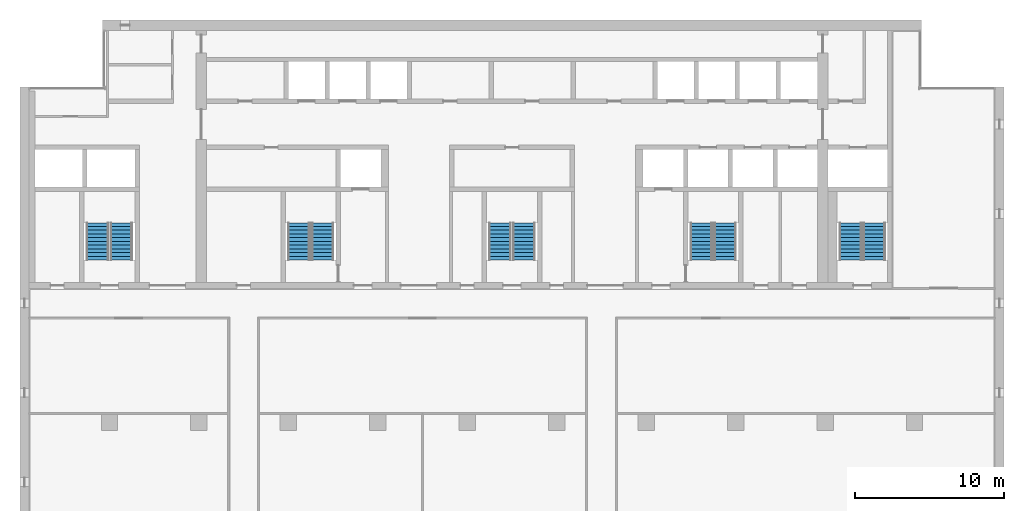
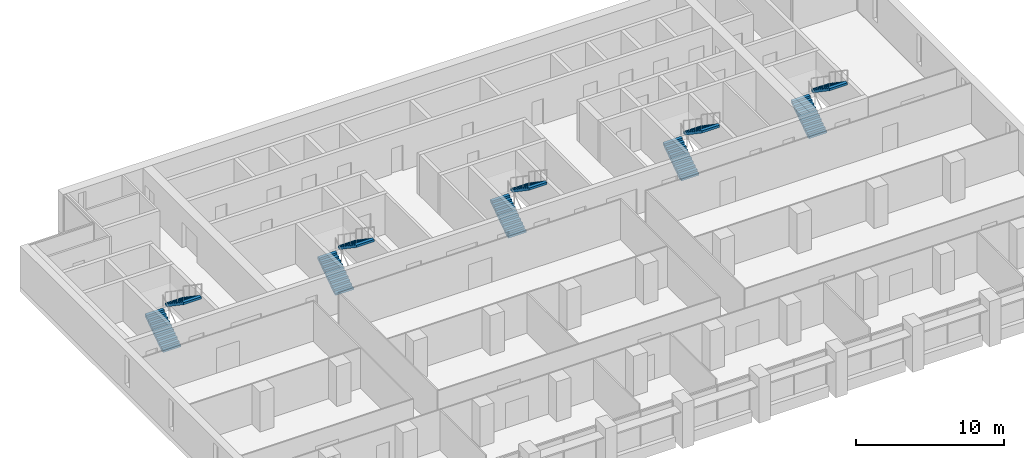
# One storey, part 13 of 17: 10 stair flights, 5 elements without a shape of their own.
"""IFC4 building model written with IfcOpenShell, lengths in metres."""

from ifc_helpers import new_model, si_unit, direction, frame, origin, place, context, subcontext, project, spatial, polyline, outline, extrude, material, type_object, element, aggregate, save


model = new_model("IFC4")

# Units and contexts
model_context = context("Model", 3, precision=1e-05, world=origin(), true_north=direction((0.0, 1.0)))
body_context = subcontext(model_context, "Body", "Model", "MODEL_VIEW")
ifc_project = project(units=[si_unit("LENGTHUNIT", "METRE"), si_unit("AREAUNIT", "SQUARE_METRE"), si_unit("VOLUMEUNIT", "CUBIC_METRE"), si_unit("PLANEANGLEUNIT", "RADIAN"), si_unit("MASSUNIT", "GRAM", prefix="KILO")], contexts=[model_context])

# Site, building, storey
site_placement = place(None, origin())
site = spatial("IfcSite", under=ifc_project, at=site_placement, CompositionType="ELEMENT")
building_placement = place(site_placement, origin())
building = spatial("IfcBuilding", under=site, at=building_placement, Name="Calvaro Tower", CompositionType="ELEMENT")
storey_placement = place(building_placement, frame((0.0, 0.0, 193.0)))
storey = spatial("IfcBuildingStorey", under=building, at=storey_placement, Name="L48", CompositionType="ELEMENT", Elevation=193.0)

# Stair, stair flights
ifc_material_1 = material(Name="Concrete C40/50", Category="concrete")
stair_type = type_object("IfcStairType", Name="Exit stair 1400 2 flights", PredefinedType="HALF_TURN_STAIR", material=ifc_material_1)
stair_1_placement = place(storey_placement, origin())
stair_1 = element("IfcStair", 1, at=stair_1_placement, inside=storey, type_object=stair_type, Name="Exit stair S1", PredefinedType="HALF_TURN_STAIR")
ifc_material_2 = material(Name="Concrete C40/50", Category="concrete")
stair_flight_type = type_object("IfcStairFlightType", Name="Stair flight", PredefinedType="STRAIGHT", material=ifc_material_2)
stair_flight_1_placement = place(storey_placement, frame((11.199951171875, 29.89990234375, 0.0), z_axis=(0.0, 0.0, 1.0), x_axis=(0.0, 1.0, 0.0)))
stair_flight_1 = element("IfcStairFlight", 2, at=stair_flight_1_placement, type_object=stair_flight_type, Name="Exit stair 1, flight 1", NumberOfRisers=11, NumberOfTreads=10, PredefinedType="STRAIGHT", RiserHeight=0.170454545, TreadLength=0.25, context=body_context, shape_type="SweptSolid", body=[
    extrude(outline(polyline([(0.0, 0.0), (0.0, 0.17041015625), (0.25, 0.17041015625), (0.25, 0.3408203125), (0.5, 0.3408203125), (0.5, 0.511474609375), (0.75, 0.511474609375), (0.75, 0.681884765625), (1.0, 0.681884765625), (1.0, 0.852294921875), (1.25, 0.852294921875), (1.25, 1.022705078125), (1.5, 1.022705078125), (1.5, 1.193115234375), (1.75, 1.193115234375), (1.75, 1.363525390625), (2.0, 1.363525390625), (2.0, 1.5341796875), (2.25, 1.5341796875), (2.25, 1.70458984375), (2.5, 1.70458984375), (2.5, 1.875), (2.5, 1.523193359375), (0.26611328125, 0.0), (0.0, 0.0)])), frame((0.0, 0.699951171875, 0.0), z_axis=(0.0, -1.0, 0.0), x_axis=(1.0, 0.0, 0.0)), (0.0, 0.0, 1.0), 1.39990234375),
])
stair_flight_2_placement = place(storey_placement, frame((12.800048828125, 32.39990234375, 1.875), z_axis=(0.0, 0.0, 1.0), x_axis=(0.0, -1.0, 0.0)))
stair_flight_2 = element("IfcStairFlight", 3, at=stair_flight_2_placement, type_object=stair_flight_type, Name="Exit stair 1, flight 2", NumberOfRisers=11, NumberOfTreads=10, PredefinedType="STRAIGHT", RiserHeight=0.170454545, TreadLength=0.25, context=body_context, shape_type="SweptSolid", body=[
    extrude(outline(polyline([(0.0, 0.0), (0.0, 0.17041015625), (0.25, 0.17041015625), (0.25, 0.3408203125), (0.5, 0.3408203125), (0.5, 0.511474609375), (0.75, 0.511474609375), (0.75, 0.681884765625), (1.0, 0.681884765625), (1.0, 0.852294921875), (1.25, 0.852294921875), (1.25, 1.022705078125), (1.5, 1.022705078125), (1.5, 1.193115234375), (1.75, 1.193115234375), (1.75, 1.363525390625), (2.0, 1.363525390625), (2.0, 1.5341796875), (2.25, 1.5341796875), (2.25, 1.70458984375), (2.5, 1.70458984375), (2.5, 1.875), (2.5, 1.523193359375), (0.26611328125, 0.0), (0.0, 0.0)])), frame((0.0, 0.699951171875, 0.0), z_axis=(0.0, -1.0, 0.0), x_axis=(1.0, 0.0, 0.0)), (0.0, 0.0, 1.0), 1.39990234375),
])
aggregate(stair_1, [stair_flight_1, stair_flight_2])

stair_2_placement = place(storey_placement, origin())
stair_2 = element("IfcStair", 4, at=stair_2_placement, inside=storey, type_object=stair_type, Name="Exit stair S2", PredefinedType="HALF_TURN_STAIR")
stair_flight_3_placement = place(storey_placement, frame((24.699951171875, 29.89990234375, 0.0), z_axis=(0.0, 0.0, 1.0), x_axis=(0.0, 1.0, 0.0)))
stair_flight_3 = element("IfcStairFlight", 5, at=stair_flight_3_placement, type_object=stair_flight_type, Name="Exit stair 2, flight 1", NumberOfRisers=11, NumberOfTreads=10, PredefinedType="STRAIGHT", RiserHeight=0.170454545, TreadLength=0.25, context=body_context, shape_type="SweptSolid", body=[
    extrude(outline(polyline([(0.0, 0.0), (0.0, 0.17041015625), (0.25, 0.17041015625), (0.25, 0.3408203125), (0.5, 0.3408203125), (0.5, 0.511474609375), (0.75, 0.511474609375), (0.75, 0.681884765625), (1.0, 0.681884765625), (1.0, 0.852294921875), (1.25, 0.852294921875), (1.25, 1.022705078125), (1.5, 1.022705078125), (1.5, 1.193115234375), (1.75, 1.193115234375), (1.75, 1.363525390625), (2.0, 1.363525390625), (2.0, 1.5341796875), (2.25, 1.5341796875), (2.25, 1.70458984375), (2.5, 1.70458984375), (2.5, 1.875), (2.5, 1.523193359375), (0.26611328125, 0.0), (0.0, 0.0)])), frame((0.0, 0.699951171875, 0.0), z_axis=(0.0, -1.0, 0.0), x_axis=(1.0, 0.0, 0.0)), (0.0, 0.0, 1.0), 1.39990234375),
])
stair_flight_4_placement = place(storey_placement, frame((26.300048828125, 32.39990234375, 1.875), z_axis=(0.0, 0.0, 1.0), x_axis=(0.0, -1.0, 0.0)))
stair_flight_4 = element("IfcStairFlight", 6, at=stair_flight_4_placement, type_object=stair_flight_type, Name="Exit stair 2, flight 2", NumberOfRisers=11, NumberOfTreads=10, PredefinedType="STRAIGHT", RiserHeight=0.170454545, TreadLength=0.25, context=body_context, shape_type="SweptSolid", body=[
    extrude(outline(polyline([(0.0, 0.0), (0.0, 0.17041015625), (0.25, 0.17041015625), (0.25, 0.3408203125), (0.5, 0.3408203125), (0.5, 0.511474609375), (0.75, 0.511474609375), (0.75, 0.681884765625), (1.0, 0.681884765625), (1.0, 0.852294921875), (1.25, 0.852294921875), (1.25, 1.022705078125), (1.5, 1.022705078125), (1.5, 1.193115234375), (1.75, 1.193115234375), (1.75, 1.363525390625), (2.0, 1.363525390625), (2.0, 1.5341796875), (2.25, 1.5341796875), (2.25, 1.70458984375), (2.5, 1.70458984375), (2.5, 1.875), (2.5, 1.523193359375), (0.26611328125, 0.0), (0.0, 0.0)])), frame((0.0, 0.699951171875, 0.0), z_axis=(0.0, -1.0, 0.0), x_axis=(1.0, 0.0, 0.0)), (0.0, 0.0, 1.0), 1.39990234375),
])
aggregate(stair_2, [stair_flight_3, stair_flight_4])

stair_3_placement = place(storey_placement, origin())
stair_3 = element("IfcStair", 7, at=stair_3_placement, inside=storey, type_object=stair_type, Name="Exit stair S3", PredefinedType="HALF_TURN_STAIR")
stair_flight_5_placement = place(storey_placement, frame((38.199951171875, 29.89990234375, 0.0), z_axis=(0.0, 0.0, 1.0), x_axis=(0.0, 1.0, 0.0)))
stair_flight_5 = element("IfcStairFlight", 8, at=stair_flight_5_placement, type_object=stair_flight_type, Name="Exit stair 3, flight 1", NumberOfRisers=11, NumberOfTreads=10, PredefinedType="STRAIGHT", RiserHeight=0.170454545, TreadLength=0.25, context=body_context, shape_type="SweptSolid", body=[
    extrude(outline(polyline([(0.0, 0.0), (0.0, 0.17041015625), (0.25, 0.17041015625), (0.25, 0.3408203125), (0.5, 0.3408203125), (0.5, 0.511474609375), (0.75, 0.511474609375), (0.75, 0.681884765625), (1.0, 0.681884765625), (1.0, 0.852294921875), (1.25, 0.852294921875), (1.25, 1.022705078125), (1.5, 1.022705078125), (1.5, 1.193115234375), (1.75, 1.193115234375), (1.75, 1.363525390625), (2.0, 1.363525390625), (2.0, 1.5341796875), (2.25, 1.5341796875), (2.25, 1.70458984375), (2.5, 1.70458984375), (2.5, 1.875), (2.5, 1.523193359375), (0.26611328125, 0.0), (0.0, 0.0)])), frame((0.0, 0.699951171875, 0.0), z_axis=(0.0, -1.0, 0.0), x_axis=(1.0, 0.0, 0.0)), (0.0, 0.0, 1.0), 1.39990234375),
])
stair_flight_6_placement = place(storey_placement, frame((39.800048828125, 32.39990234375, 1.875), z_axis=(0.0, 0.0, 1.0), x_axis=(0.0, -1.0, 0.0)))
stair_flight_6 = element("IfcStairFlight", 9, at=stair_flight_6_placement, type_object=stair_flight_type, Name="Exit stair 3, flight 2", NumberOfRisers=11, NumberOfTreads=10, PredefinedType="STRAIGHT", RiserHeight=0.170454545, TreadLength=0.25, context=body_context, shape_type="SweptSolid", body=[
    extrude(outline(polyline([(0.0, 0.0), (0.0, 0.17041015625), (0.25, 0.17041015625), (0.25, 0.3408203125), (0.5, 0.3408203125), (0.5, 0.511474609375), (0.75, 0.511474609375), (0.75, 0.681884765625), (1.0, 0.681884765625), (1.0, 0.852294921875), (1.25, 0.852294921875), (1.25, 1.022705078125), (1.5, 1.022705078125), (1.5, 1.193115234375), (1.75, 1.193115234375), (1.75, 1.363525390625), (2.0, 1.363525390625), (2.0, 1.5341796875), (2.25, 1.5341796875), (2.25, 1.70458984375), (2.5, 1.70458984375), (2.5, 1.875), (2.5, 1.523193359375), (0.26611328125, 0.0), (0.0, 0.0)])), frame((0.0, 0.699951171875, 0.0), z_axis=(0.0, -1.0, 0.0), x_axis=(1.0, 0.0, 0.0)), (0.0, 0.0, 1.0), 1.39990234375),
])
aggregate(stair_3, [stair_flight_5, stair_flight_6])

stair_4_placement = place(storey_placement, origin())
stair_4 = element("IfcStair", 10, at=stair_4_placement, inside=storey, type_object=stair_type, Name="Exit stair S4", PredefinedType="HALF_TURN_STAIR")
stair_flight_7_placement = place(storey_placement, frame((51.699951171875, 29.89990234375, 0.0), z_axis=(0.0, 0.0, 1.0), x_axis=(0.0, 1.0, 0.0)))
stair_flight_7 = element("IfcStairFlight", 11, at=stair_flight_7_placement, type_object=stair_flight_type, Name="Exit stair 4, flight 1", NumberOfRisers=11, NumberOfTreads=10, PredefinedType="STRAIGHT", RiserHeight=0.170454545, TreadLength=0.25, context=body_context, shape_type="SweptSolid", body=[
    extrude(outline(polyline([(0.0, 0.0), (0.0, 0.17041015625), (0.25, 0.17041015625), (0.25, 0.3408203125), (0.5, 0.3408203125), (0.5, 0.511474609375), (0.75, 0.511474609375), (0.75, 0.681884765625), (1.0, 0.681884765625), (1.0, 0.852294921875), (1.25, 0.852294921875), (1.25, 1.022705078125), (1.5, 1.022705078125), (1.5, 1.193115234375), (1.75, 1.193115234375), (1.75, 1.363525390625), (2.0, 1.363525390625), (2.0, 1.5341796875), (2.25, 1.5341796875), (2.25, 1.70458984375), (2.5, 1.70458984375), (2.5, 1.875), (2.5, 1.523193359375), (0.26611328125, 0.0), (0.0, 0.0)])), frame((0.0, 0.699951171875, 0.0), z_axis=(0.0, -1.0, 0.0), x_axis=(1.0, 0.0, 0.0)), (0.0, 0.0, 1.0), 1.39990234375),
])
stair_flight_8_placement = place(storey_placement, frame((53.300048828125, 32.39990234375, 1.875), z_axis=(0.0, 0.0, 1.0), x_axis=(0.0, -1.0, 0.0)))
stair_flight_8 = element("IfcStairFlight", 12, at=stair_flight_8_placement, type_object=stair_flight_type, Name="Exit stair 4, flight 2", NumberOfRisers=11, NumberOfTreads=10, PredefinedType="STRAIGHT", RiserHeight=0.170454545, TreadLength=0.25, context=body_context, shape_type="SweptSolid", body=[
    extrude(outline(polyline([(0.0, 0.0), (0.0, 0.17041015625), (0.25, 0.17041015625), (0.25, 0.3408203125), (0.5, 0.3408203125), (0.5, 0.511474609375), (0.75, 0.511474609375), (0.75, 0.681884765625), (1.0, 0.681884765625), (1.0, 0.852294921875), (1.25, 0.852294921875), (1.25, 1.022705078125), (1.5, 1.022705078125), (1.5, 1.193115234375), (1.75, 1.193115234375), (1.75, 1.363525390625), (2.0, 1.363525390625), (2.0, 1.5341796875), (2.25, 1.5341796875), (2.25, 1.70458984375), (2.5, 1.70458984375), (2.5, 1.875), (2.5, 1.523193359375), (0.26611328125, 0.0), (0.0, 0.0)])), frame((0.0, 0.699951171875, 0.0), z_axis=(0.0, -1.0, 0.0), x_axis=(1.0, 0.0, 0.0)), (0.0, 0.0, 1.0), 1.39990234375),
])
aggregate(stair_4, [stair_flight_7, stair_flight_8])

stair_5_placement = place(storey_placement, origin())
stair_5 = element("IfcStair", 13, at=stair_5_placement, inside=storey, type_object=stair_type, Name="Exit stair S5", PredefinedType="HALF_TURN_STAIR")
stair_flight_9_placement = place(storey_placement, frame((61.699951171875, 29.89990234375, 0.0), z_axis=(0.0, 0.0, 1.0), x_axis=(0.0, 1.0, 0.0)))
stair_flight_9 = element("IfcStairFlight", 14, at=stair_flight_9_placement, type_object=stair_flight_type, Name="Exit stair 5, flight 1", NumberOfRisers=11, NumberOfTreads=10, PredefinedType="STRAIGHT", RiserHeight=0.170454545, TreadLength=0.25, context=body_context, shape_type="SweptSolid", body=[
    extrude(outline(polyline([(0.0, 0.0), (0.0, 0.17041015625), (0.25, 0.17041015625), (0.25, 0.3408203125), (0.5, 0.3408203125), (0.5, 0.511474609375), (0.75, 0.511474609375), (0.75, 0.681884765625), (1.0, 0.681884765625), (1.0, 0.852294921875), (1.25, 0.852294921875), (1.25, 1.022705078125), (1.5, 1.022705078125), (1.5, 1.193115234375), (1.75, 1.193115234375), (1.75, 1.363525390625), (2.0, 1.363525390625), (2.0, 1.5341796875), (2.25, 1.5341796875), (2.25, 1.70458984375), (2.5, 1.70458984375), (2.5, 1.875), (2.5, 1.523193359375), (0.26611328125, 0.0), (0.0, 0.0)])), frame((0.0, 0.699951171875, 0.0), z_axis=(0.0, -1.0, 0.0), x_axis=(1.0, 0.0, 0.0)), (0.0, 0.0, 1.0), 1.39990234375),
])
stair_flight_10_placement = place(storey_placement, frame((63.300048828125, 32.39990234375, 1.875), z_axis=(0.0, 0.0, 1.0), x_axis=(0.0, -1.0, 0.0)))
stair_flight_10 = element("IfcStairFlight", 15, at=stair_flight_10_placement, type_object=stair_flight_type, Name="Exit stair 5, flight 2", NumberOfRisers=11, NumberOfTreads=10, PredefinedType="STRAIGHT", RiserHeight=0.170454545, TreadLength=0.25, context=body_context, shape_type="SweptSolid", body=[
    extrude(outline(polyline([(0.0, 0.0), (0.0, 0.17041015625), (0.25, 0.17041015625), (0.25, 0.3408203125), (0.5, 0.3408203125), (0.5, 0.511474609375), (0.75, 0.511474609375), (0.75, 0.681884765625), (1.0, 0.681884765625), (1.0, 0.852294921875), (1.25, 0.852294921875), (1.25, 1.022705078125), (1.5, 1.022705078125), (1.5, 1.193115234375), (1.75, 1.193115234375), (1.75, 1.363525390625), (2.0, 1.363525390625), (2.0, 1.5341796875), (2.25, 1.5341796875), (2.25, 1.70458984375), (2.5, 1.70458984375), (2.5, 1.875), (2.5, 1.523193359375), (0.26611328125, 0.0), (0.0, 0.0)])), frame((0.0, 0.699951171875, 0.0), z_axis=(0.0, -1.0, 0.0), x_axis=(1.0, 0.0, 0.0)), (0.0, 0.0, 1.0), 1.39990234375),
])
aggregate(stair_5, [stair_flight_9, stair_flight_10])

save(model, "model.ifc")
